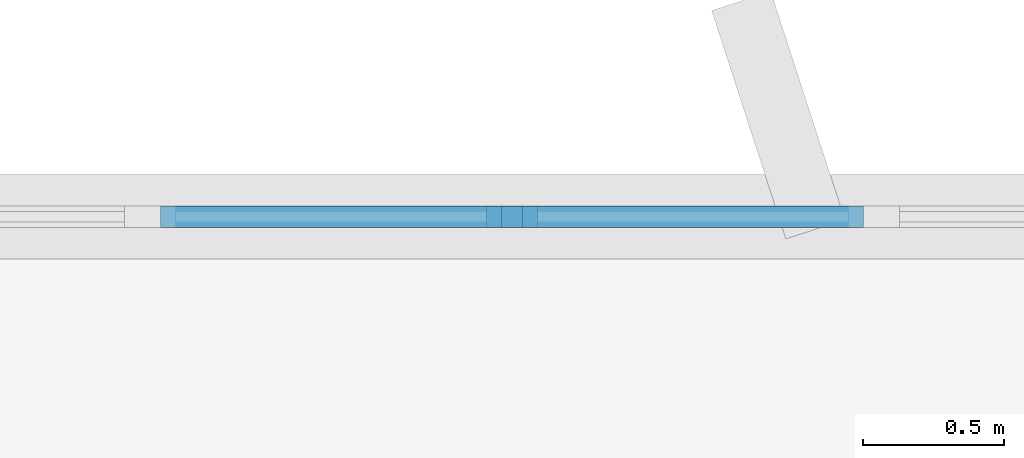
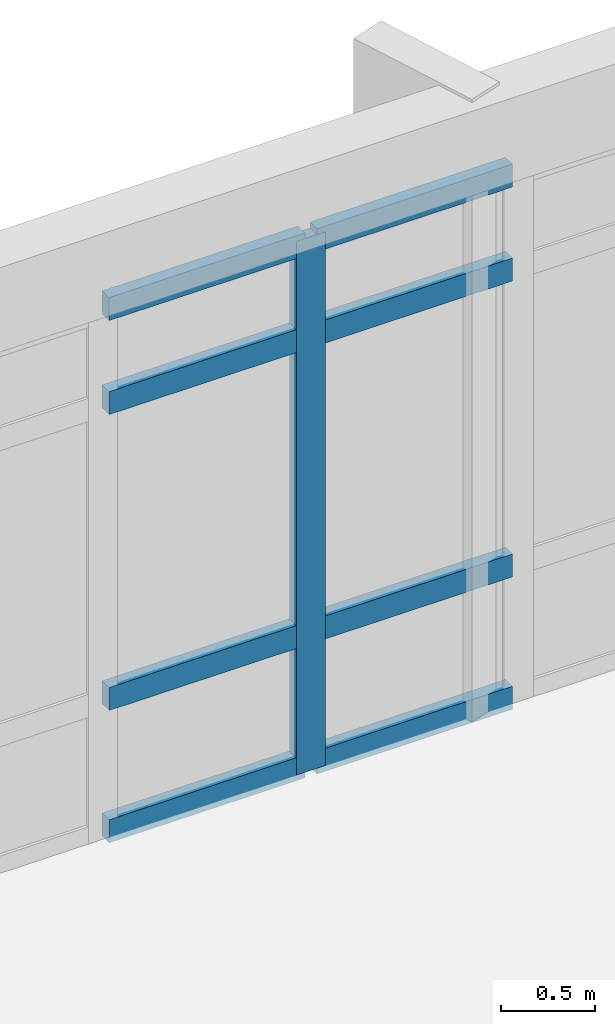
# One storey, part 21 of 70: 9 members, 1 element without a shape of its own.
"""IFC4 building model written with IfcOpenShell, lengths in metres."""

from ifc_helpers import new_model, si_unit, direction, frame, origin, origin_2d, place, context, subcontext, project, spatial, rectangle, extrude, material, layer, layer_set, material_profile, profile_set, type_object, element, aggregate, save


model = new_model("IFC4")

# Units and contexts
model_context = context("Model", 3, precision=1e-05, world=origin(), true_north=direction((0.0, 1.0)))
body_context = subcontext(model_context, "Body", "Model", "MODEL_VIEW")
ifc_project = project(units=[si_unit("LENGTHUNIT", "METRE"), si_unit("AREAUNIT", "SQUARE_METRE"), si_unit("VOLUMEUNIT", "CUBIC_METRE"), si_unit("PLANEANGLEUNIT", "RADIAN"), si_unit("MASSUNIT", "GRAM", prefix="KILO")], contexts=[model_context])

# Site, building, storey
site_placement = place(None, origin())
site = spatial("IfcSite", under=ifc_project, at=site_placement, CompositionType="ELEMENT")
building_placement = place(site_placement, origin())
building = spatial("IfcBuilding", under=site, at=building_placement, Name="Kavelor Marine Aquarium", CompositionType="ELEMENT")
storey_placement = place(building_placement, frame((0.0, 0.0, 9.179931640625)))
storey = spatial("IfcBuildingStorey", under=building, at=storey_placement, Name="L02", CompositionType="ELEMENT", Elevation=9.179931640625)

# Curtain wall, members
ifc_material_1 = material(Name="Thermally Broken Aluminium and Low-E Glass", Category="aluminium")
ifc_layer = layer(ifc_material_1, 0.196044921875)
ifc_layer_set = layer_set([ifc_layer], Name="CW-SYS7")
curtain_wall_type = type_object("IfcCurtainWallType", Name="CW-SYS7", PredefinedType="USERDEFINED", material=ifc_layer_set)
curtain_wall_placement = place(storey_placement, origin())
curtain_wall = element("IfcCurtainWall", 1, at=curtain_wall_placement, inside=storey, type_object=curtain_wall_type, Name="cw:x:L02:17_15", ObjectType="Curtain Wall", PredefinedType="USERDEFINED")
ifc_material_2 = material(Name="Anodised Aluminium Alloy 6063-T6", Category="aluminium")
ifc_material_profile_1 = material_profile(ifc_material_2, rectangle(XDim=0.074951171875, YDim=0.179931640625, at=origin_2d()), Name="CW-MUL 75x180")
ifc_profile_set_1 = profile_set([ifc_material_profile_1], Name="Anodised Aluminium Alloy 6063-T6")
member_type_1 = type_object("IfcMemberType", Name="CWM-1", PredefinedType="MULLION", material=ifc_profile_set_1)
member_1_placement = place(storey_placement, frame((129.841064453125, 110.800048828125, 0.0), z_axis=(0.0, 0.0, 1.0), x_axis=(0.0, 1.0, 0.0)))
member_1 = element("IfcMember", 2, at=member_1_placement, type_object=member_type_1, Name="CW07 mullion 4", PredefinedType="MULLION", context=body_context, shape_type="SweptSolid", body=[
    extrude(rectangle(XDim=0.074951171875, YDim=0.179931640625, at=origin_2d()), origin(), (0.0, 0.0, 1.0), 3.47998046875),
])
ifc_material_3 = material(Name="Anodised Aluminium Alloy 6063-T6", Category="aluminium")
ifc_material_profile_2 = material_profile(ifc_material_3, rectangle(XDim=0.074951171875, YDim=0.14990234375, at=origin_2d()), Name="CW-TRN 75x150")
ifc_profile_set_2 = profile_set([ifc_material_profile_2], Name="Anodised Aluminium Alloy 6063-T6")
member_type_2 = type_object("IfcMemberType", Name="CWT-1", PredefinedType="USERDEFINED", material=ifc_profile_set_2)
member_2_placement = place(storey_placement, frame((128.596435546875, 110.800048828125, 0.03759765625), z_axis=(1.0, 0.0, 0.0), x_axis=(0.0, 1.0, 0.0)))
member_2 = element("IfcMember", 3, at=member_2_placement, type_object=member_type_2, Name="CW07 transom 3.1", ObjectType="TRANSOM", PredefinedType="USERDEFINED", context=body_context, shape_type="SweptSolid", body=[
    extrude(rectangle(XDim=0.074951171875, YDim=0.14990234375, at=origin_2d()), origin(), (0.0, 0.0, 1.0), 1.20703125),
])
member_3_placement = place(storey_placement, frame((128.596435546875, 110.800048828125, 0.900146484375), z_axis=(1.0, 0.0, 0.0), x_axis=(0.0, 1.0, 0.0)))
member_3 = element("IfcMember", 4, at=member_3_placement, type_object=member_type_2, Name="CW07 transom 3.2", ObjectType="TRANSOM", PredefinedType="USERDEFINED", context=body_context, shape_type="SweptSolid", body=[
    extrude(rectangle(XDim=0.074951171875, YDim=0.14990234375, at=origin_2d()), origin(), (0.0, 0.0, 1.0), 1.20703125),
])
member_4_placement = place(storey_placement, frame((128.596435546875, 110.800048828125, 2.830078125), z_axis=(1.0, 0.0, 0.0), x_axis=(0.0, 1.0, 0.0)))
member_4 = element("IfcMember", 5, at=member_4_placement, type_object=member_type_2, Name="CW07 transom 3.3", ObjectType="TRANSOM", PredefinedType="USERDEFINED", context=body_context, shape_type="SweptSolid", body=[
    extrude(rectangle(XDim=0.074951171875, YDim=0.14990234375, at=origin_2d()), origin(), (0.0, 0.0, 1.0), 1.20703125),
])
member_5_placement = place(storey_placement, frame((128.596435546875, 110.800048828125, 3.442626953125), z_axis=(1.0, 0.0, 0.0), x_axis=(0.0, 1.0, 0.0)))
member_5 = element("IfcMember", 6, at=member_5_placement, type_object=member_type_2, Name="CW07 transom 3.4", ObjectType="TRANSOM", PredefinedType="USERDEFINED", context=body_context, shape_type="SweptSolid", body=[
    extrude(rectangle(XDim=0.074951171875, YDim=0.14990234375, at=origin_2d()), origin(), (0.0, 0.0, 1.0), 1.20703125),
])
member_6_placement = place(storey_placement, frame((129.87841796875, 110.800048828125, 0.03759765625), z_axis=(1.0, 0.0, 0.0), x_axis=(0.0, 1.0, 0.0)))
member_6 = element("IfcMember", 7, at=member_6_placement, type_object=member_type_2, Name="CW07 transom 4.1", ObjectType="TRANSOM", PredefinedType="USERDEFINED", context=body_context, shape_type="SweptSolid", body=[
    extrude(rectangle(XDim=0.074951171875, YDim=0.14990234375, at=origin_2d()), origin(), (0.0, 0.0, 1.0), 1.20703125),
])
member_7_placement = place(storey_placement, frame((129.87841796875, 110.800048828125, 0.900146484375), z_axis=(1.0, 0.0, 0.0), x_axis=(0.0, 1.0, 0.0)))
member_7 = element("IfcMember", 8, at=member_7_placement, type_object=member_type_2, Name="CW07 transom 4.2", ObjectType="TRANSOM", PredefinedType="USERDEFINED", context=body_context, shape_type="SweptSolid", body=[
    extrude(rectangle(XDim=0.074951171875, YDim=0.14990234375, at=origin_2d()), origin(), (0.0, 0.0, 1.0), 1.20703125),
])
member_8_placement = place(storey_placement, frame((129.87841796875, 110.800048828125, 2.830078125), z_axis=(1.0, 0.0, 0.0), x_axis=(0.0, 1.0, 0.0)))
member_8 = element("IfcMember", 9, at=member_8_placement, type_object=member_type_2, Name="CW07 transom 4.3", ObjectType="TRANSOM", PredefinedType="USERDEFINED", context=body_context, shape_type="SweptSolid", body=[
    extrude(rectangle(XDim=0.074951171875, YDim=0.14990234375, at=origin_2d()), origin(), (0.0, 0.0, 1.0), 1.20703125),
])
member_9_placement = place(storey_placement, frame((129.87841796875, 110.800048828125, 3.442626953125), z_axis=(1.0, 0.0, 0.0), x_axis=(0.0, 1.0, 0.0)))
member_9 = element("IfcMember", 10, at=member_9_placement, type_object=member_type_2, Name="CW07 transom 4.4", ObjectType="TRANSOM", PredefinedType="USERDEFINED", context=body_context, shape_type="SweptSolid", body=[
    extrude(rectangle(XDim=0.074951171875, YDim=0.14990234375, at=origin_2d()), origin(), (0.0, 0.0, 1.0), 1.20703125),
])
aggregate(curtain_wall, [member_1, member_2, member_3, member_4, member_5, member_6, member_7, member_8, member_9])

save(model, "model.ifc")
